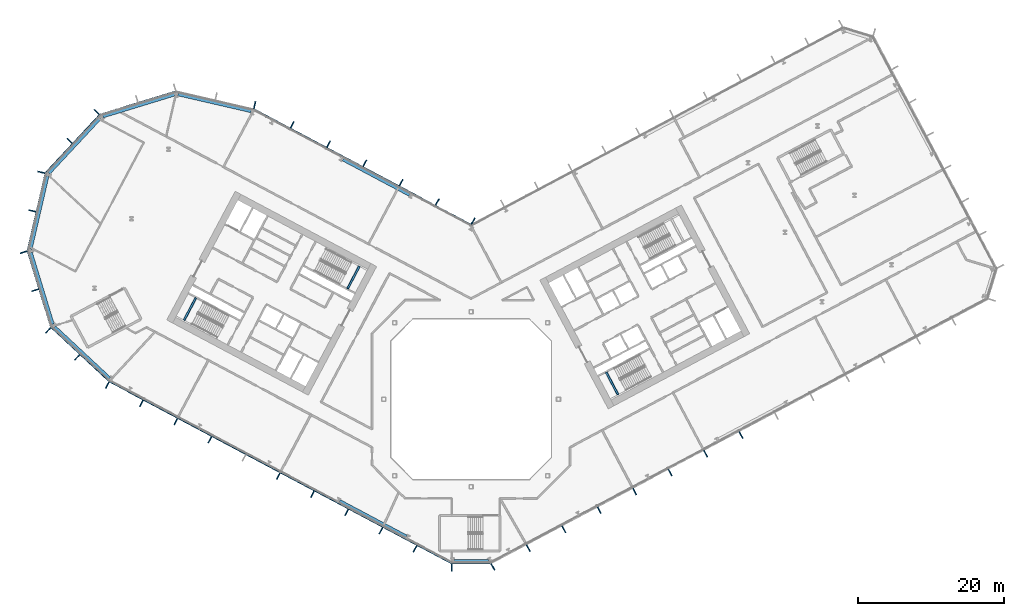
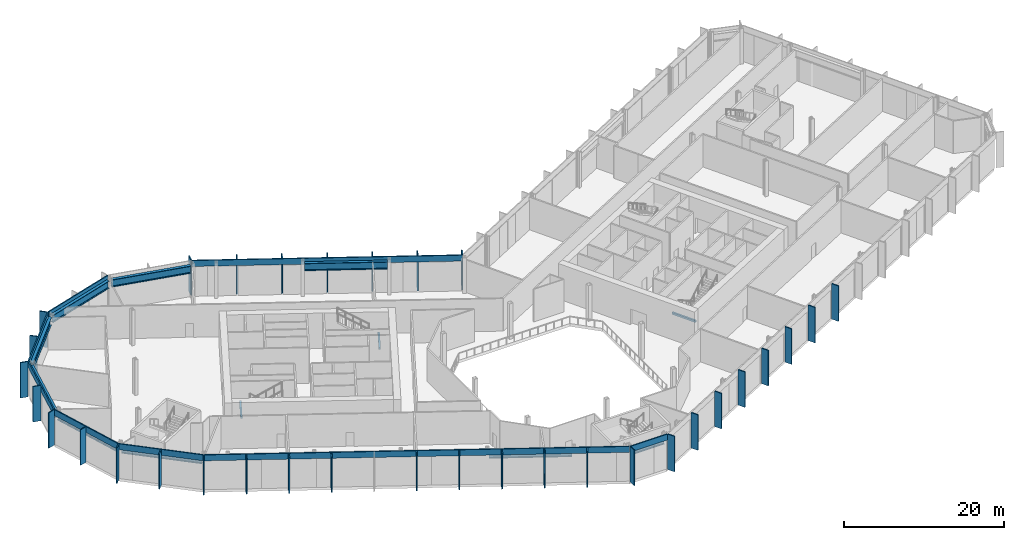
# One storey, part 6 of 32: 41 members, 12 beams, 10 elements without a shape of their own.
"""IFC4 building model written with IfcOpenShell, lengths in metres."""

from ifc_helpers import new_model, si_unit, direction, frame, origin, origin_2d, place, context, subcontext, project, spatial, rectangle, i_section, extrude, material, layer, layer_set, material_profile, profile_set, type_object, element, aggregate, save


model = new_model("IFC4")

# Units and contexts
model_context = context("Model", 3, precision=1e-05, world=origin(), true_north=direction((0.0, 1.0)))
body_context = subcontext(model_context, "Body", "Model", "MODEL_VIEW")
ifc_project = project(units=[si_unit("LENGTHUNIT", "METRE"), si_unit("AREAUNIT", "SQUARE_METRE"), si_unit("VOLUMEUNIT", "CUBIC_METRE"), si_unit("PLANEANGLEUNIT", "RADIAN"), si_unit("MASSUNIT", "GRAM", prefix="KILO")], contexts=[model_context])

# Site, building, storey
site_placement = place(None, origin())
site = spatial("IfcSite", under=ifc_project, at=site_placement, CompositionType="ELEMENT")
building_placement = place(site_placement, origin())
building = spatial("IfcBuilding", under=site, at=building_placement, Name="Cormorant Relay Tower", CompositionType="ELEMENT")
storey_placement = place(building_placement, frame((0.0, 0.0, 39.199951171875)))
storey = spatial("IfcBuildingStorey", under=building, at=storey_placement, Name="L07", CompositionType="ELEMENT", Elevation=39.199951171875)

# Curtain wall, member
ifc_material_1 = material(Name="Aluminium 6063-T6 anodised bronze", Category="aluminium")
ifc_layer = layer(ifc_material_1, 0.235107421875)
ifc_layer_set = layer_set([ifc_layer], Name="CW6 data hall curtain wall with mineral wool panels")
curtain_wall_type = type_object("IfcCurtainWallType", Name="CW6 data hall curtain wall with mineral wool panels", PredefinedType="NOTDEFINED", material=ifc_layer_set)
curtain_wall_1_placement = place(storey_placement, origin())
curtain_wall_1 = element("IfcCurtainWall", 1, at=curtain_wall_1_placement, inside=storey, type_object=curtain_wall_type, Name="CW6 curtain wall 1", PredefinedType="NOTDEFINED")
ifc_material_2 = material(Name="Aluminium 6063-T6 anodised bronze", Category="aluminium")
ifc_material_profile_1 = material_profile(ifc_material_2, rectangle(XDim=0.14990234375, YDim=1.0, at=origin_2d()), Name="AL 150x1000")
ifc_profile_set_1 = profile_set([ifc_material_profile_1], Name="Aluminium 6063-T6 anodised bronze")
member_type_1 = type_object("IfcMemberType", Name="CW6 bronze fin mullion 150 x 1000", PredefinedType="MULLION", material=ifc_profile_set_1)
member_1_placement = place(storey_placement, frame((-2.648681640625, -23.110595703125, 0.0), z_axis=(0.0, 0.0, 1.0), x_axis=(1.0, 0.0, 0.0)))
member_1 = element("IfcMember", 2, at=member_1_placement, type_object=member_type_1, Name="CW6 fin 1.1", PredefinedType="MULLION", context=body_context, shape_type="SweptSolid", body=[
    extrude(rectangle(XDim=0.14990234375, YDim=1.0, at=origin_2d()), origin(), (0.0, 0.0, 1.0), 5.400146484375),
])

# Curtain wall, members
curtain_wall_2_placement = place(storey_placement, origin())
curtain_wall_2 = element("IfcCurtainWall", 3, at=curtain_wall_2_placement, inside=storey, type_object=curtain_wall_type, Name="CW6 curtain wall 2", PredefinedType="NOTDEFINED")
member_2_placement = place(storey_placement, frame((2.993896484375, -23.0244140625, 0.0), z_axis=(0.0, 0.0, 1.0), x_axis=(0.882947592859, 0.469471562786, 0.0)))
member_2 = element("IfcMember", 4, at=member_2_placement, type_object=member_type_1, Name="CW6 fin 2.1", PredefinedType="MULLION", context=body_context, shape_type="SweptSolid", body=[
    extrude(rectangle(XDim=0.14990234375, YDim=1.0, at=origin_2d()), origin(), (0.0, 0.0, 1.0), 5.400146484375),
])
member_3_placement = place(storey_placement, frame((7.860595703125, -20.43701171875, 0.0), z_axis=(0.0, 0.0, 1.0), x_axis=(0.882947592859, 0.469471562786, 0.0)))
member_3 = element("IfcMember", 5, at=member_3_placement, type_object=member_type_1, Name="CW6 fin 2.2", PredefinedType="MULLION", context=body_context, shape_type="SweptSolid", body=[
    extrude(rectangle(XDim=0.14990234375, YDim=1.0, at=origin_2d()), origin(), (0.0, 0.0, 1.0), 5.400146484375),
])
member_4_placement = place(storey_placement, frame((12.727294921875, -17.84912109375, 0.0), z_axis=(0.0, 0.0, 1.0), x_axis=(0.882947592859, 0.469471562786, 0.0)))
member_4 = element("IfcMember", 6, at=member_4_placement, type_object=member_type_1, Name="CW6 fin 2.3", PredefinedType="MULLION", context=body_context, shape_type="SweptSolid", body=[
    extrude(rectangle(XDim=0.14990234375, YDim=1.0, at=origin_2d()), origin(), (0.0, 0.0, 1.0), 5.400146484375),
])
member_5_placement = place(storey_placement, frame((17.593994140625, -15.26171875, 0.0), z_axis=(0.0, 0.0, 1.0), x_axis=(0.882947592859, 0.469471562786, 0.0)))
member_5 = element("IfcMember", 7, at=member_5_placement, type_object=member_type_1, Name="CW6 fin 2.4", PredefinedType="MULLION", context=body_context, shape_type="SweptSolid", body=[
    extrude(rectangle(XDim=0.14990234375, YDim=1.0, at=origin_2d()), origin(), (0.0, 0.0, 1.0), 5.400146484375),
])
member_6_placement = place(storey_placement, frame((22.460693359375, -12.673828125, 0.0), z_axis=(0.0, 0.0, 1.0), x_axis=(0.882947592859, 0.469471562786, 0.0)))
member_6 = element("IfcMember", 8, at=member_6_placement, type_object=member_type_1, Name="CW6 fin 2.5", PredefinedType="MULLION", context=body_context, shape_type="SweptSolid", body=[
    extrude(rectangle(XDim=0.14990234375, YDim=1.0, at=origin_2d()), origin(), (0.0, 0.0, 1.0), 5.400146484375),
])
member_7_placement = place(storey_placement, frame((27.327392578125, -10.086181640625, 0.0), z_axis=(0.0, 0.0, 1.0), x_axis=(0.882947592859, 0.469471562786, 0.0)))
member_7 = element("IfcMember", 9, at=member_7_placement, type_object=member_type_1, Name="CW6 fin 2.6", PredefinedType="MULLION", context=body_context, shape_type="SweptSolid", body=[
    extrude(rectangle(XDim=0.14990234375, YDim=1.0, at=origin_2d()), origin(), (0.0, 0.0, 1.0), 5.400146484375),
])
member_8_placement = place(storey_placement, frame((32.194091796875, -7.49853515625, 0.0), z_axis=(0.0, 0.0, 1.0), x_axis=(0.882947592859, 0.469471562786, 0.0)))
member_8 = element("IfcMember", 10, at=member_8_placement, type_object=member_type_1, Name="CW6 fin 2.7", PredefinedType="MULLION", context=body_context, shape_type="SweptSolid", body=[
    extrude(rectangle(XDim=0.14990234375, YDim=1.0, at=origin_2d()), origin(), (0.0, 0.0, 1.0), 5.400146484375),
])
member_9_placement = place(storey_placement, frame((37.060546875, -4.910888671875, 0.0), z_axis=(0.0, 0.0, 1.0), x_axis=(0.882947592859, 0.469471562786, 0.0)))
member_9 = element("IfcMember", 11, at=member_9_placement, type_object=member_type_1, Name="CW6 fin 2.8", PredefinedType="MULLION", context=body_context, shape_type="SweptSolid", body=[
    extrude(rectangle(XDim=0.14990234375, YDim=1.0, at=origin_2d()), origin(), (0.0, 0.0, 1.0), 5.400146484375),
])
aggregate(curtain_wall_2, [member_2, member_3, member_4, member_5, member_6, member_7, member_8, member_9])

curtain_wall_3_placement = place(storey_placement, origin())
curtain_wall_3 = element("IfcCurtainWall", 12, at=curtain_wall_3_placement, inside=storey, type_object=curtain_wall_type, Name="CW6 curtain wall 7", PredefinedType="NOTDEFINED")
member_10_placement = place(storey_placement, frame((0.27880859375, 24.468017578125, 0.0), z_axis=(0.0, 0.0, 1.0), x_axis=(-0.882947592859, 0.469471562786, 0.0)))
member_10 = element("IfcMember", 13, at=member_10_placement, type_object=member_type_1, Name="CW6 fin 7.1", PredefinedType="MULLION", context=body_context, shape_type="SweptSolid", body=[
    extrude(rectangle(XDim=0.14990234375, YDim=1.0, at=origin_2d()), origin(), (0.0, 0.0, 1.0), 5.400146484375),
])
member_11_placement = place(storey_placement, frame((-4.6337890625, 27.080322265625, 0.0), z_axis=(0.0, 0.0, 1.0), x_axis=(-0.882947592859, 0.469471562786, 0.0)))
member_11 = element("IfcMember", 14, at=member_11_placement, type_object=member_type_1, Name="CW6 fin 7.2", PredefinedType="MULLION", context=body_context, shape_type="SweptSolid", body=[
    extrude(rectangle(XDim=0.14990234375, YDim=1.0, at=origin_2d()), origin(), (0.0, 0.0, 1.0), 5.400146484375),
])
member_12_placement = place(storey_placement, frame((-9.61279296875, 29.727783203125, 0.0), z_axis=(0.0, 0.0, 1.0), x_axis=(-0.882947592859, 0.469471562786, 0.0)))
member_12 = element("IfcMember", 15, at=member_12_placement, type_object=member_type_1, Name="CW6 fin 7.3", PredefinedType="MULLION", context=body_context, shape_type="SweptSolid", body=[
    extrude(rectangle(XDim=0.14990234375, YDim=1.0, at=origin_2d()), origin(), (0.0, 0.0, 1.0), 5.400146484375),
])
member_13_placement = place(storey_placement, frame((-14.591796875, 32.375, 0.0), z_axis=(0.0, 0.0, 1.0), x_axis=(-0.882947592859, 0.469471562786, 0.0)))
member_13 = element("IfcMember", 16, at=member_13_placement, type_object=member_type_1, Name="CW6 fin 7.4", PredefinedType="MULLION", context=body_context, shape_type="SweptSolid", body=[
    extrude(rectangle(XDim=0.14990234375, YDim=1.0, at=origin_2d()), origin(), (0.0, 0.0, 1.0), 5.400146484375),
])
member_14_placement = place(storey_placement, frame((-19.57080078125, 35.0224609375, 0.0), z_axis=(0.0, 0.0, 1.0), x_axis=(-0.882947592859, 0.469471562786, 0.0)))
member_14 = element("IfcMember", 17, at=member_14_placement, type_object=member_type_1, Name="CW6 fin 7.5", PredefinedType="MULLION", context=body_context, shape_type="SweptSolid", body=[
    extrude(rectangle(XDim=0.14990234375, YDim=1.0, at=origin_2d()), origin(), (0.0, 0.0, 1.0), 5.400146484375),
])
member_15_placement = place(storey_placement, frame((-24.5498046875, 37.669677734375, 0.0), z_axis=(0.0, 0.0, 1.0), x_axis=(-0.882947592859, 0.469471562786, 0.0)))
member_15 = element("IfcMember", 18, at=member_15_placement, type_object=member_type_1, Name="CW6 fin 7.6", PredefinedType="MULLION", context=body_context, shape_type="SweptSolid", body=[
    extrude(rectangle(XDim=0.14990234375, YDim=1.0, at=origin_2d()), origin(), (0.0, 0.0, 1.0), 5.400146484375),
])

# Curtain wall, member
curtain_wall_4_placement = place(storey_placement, origin())
curtain_wall_4 = element("IfcCurtainWall", 19, at=curtain_wall_4_placement, inside=storey, type_object=curtain_wall_type, Name="CW6 curtain wall 8", PredefinedType="NOTDEFINED")
member_16_placement = place(storey_placement, frame((-29.70849609375, 40.38427734375, 0.0), z_axis=(0.0, 0.0, 1.0), x_axis=(-0.974370064785, 0.224951054344, 0.0)))
member_16 = element("IfcMember", 20, at=member_16_placement, type_object=member_type_1, Name="CW6 fin 8.1", PredefinedType="MULLION", context=body_context, shape_type="SweptSolid", body=[
    extrude(rectangle(XDim=0.14990234375, YDim=1.0, at=origin_2d()), origin(), (0.0, 0.0, 1.0), 5.400146484375),
])
aggregate(curtain_wall_4, [member_16])

# Curtain wall, members
curtain_wall_5_placement = place(storey_placement, origin())
curtain_wall_5 = element("IfcCurtainWall", 21, at=curtain_wall_5_placement, inside=storey, type_object=curtain_wall_type, Name="CW6 curtain wall 10", PredefinedType="NOTDEFINED")
member_17_placement = place(storey_placement, frame((-51.3984375, 39.4365234375, 0.0), z_axis=(0.0, 0.0, 1.0), x_axis=(-0.681998360062, -0.731353701619, 0.0)))
member_17 = element("IfcMember", 22, at=member_17_placement, type_object=member_type_1, Name="CW6 fin 10.1", PredefinedType="MULLION", context=body_context, shape_type="SweptSolid", body=[
    extrude(rectangle(XDim=0.14990234375, YDim=1.0, at=origin_2d()), origin(), (0.0, 0.0, 1.0), 5.400146484375),
])
member_18_placement = place(storey_placement, frame((-55.105224609375, 35.46142578125, 0.0), z_axis=(0.0, 0.0, 1.0), x_axis=(-0.681998360062, -0.731353701619, 0.0)))
member_18 = element("IfcMember", 23, at=member_18_placement, type_object=member_type_1, Name="CW6 fin 10.2", PredefinedType="MULLION", context=body_context, shape_type="SweptSolid", body=[
    extrude(rectangle(XDim=0.14990234375, YDim=1.0, at=origin_2d()), origin(), (0.0, 0.0, 1.0), 5.400146484375),
])

curtain_wall_6_placement = place(storey_placement, origin())
curtain_wall_6 = element("IfcCurtainWall", 24, at=curtain_wall_6_placement, inside=storey, type_object=curtain_wall_type, Name="CW6 curtain wall 11", PredefinedType="NOTDEFINED")
member_19_placement = place(storey_placement, frame((-58.99072265625, 31.150390625, 0.0), z_axis=(0.0, 0.0, 1.0), x_axis=(-0.224951054344, -0.974370064785, 0.0)))
member_19 = element("IfcMember", 25, at=member_19_placement, type_object=member_type_1, Name="CW6 fin 11.1", PredefinedType="MULLION", context=body_context, shape_type="SweptSolid", body=[
    extrude(rectangle(XDim=0.14990234375, YDim=1.0, at=origin_2d()), origin(), (0.0, 0.0, 1.0), 5.400146484375),
])
member_20_placement = place(storey_placement, frame((-60.21337890625, 25.8544921875, 0.0), z_axis=(0.0, 0.0, 1.0), x_axis=(-0.224951054344, -0.974370064785, 0.0)))
member_20 = element("IfcMember", 26, at=member_20_placement, type_object=member_type_1, Name="CW6 fin 11.2", PredefinedType="MULLION", context=body_context, shape_type="SweptSolid", body=[
    extrude(rectangle(XDim=0.14990234375, YDim=1.0, at=origin_2d()), origin(), (0.0, 0.0, 1.0), 5.400146484375),
])

curtain_wall_7_placement = place(storey_placement, origin())
curtain_wall_7 = element("IfcCurtainWall", 27, at=curtain_wall_7_placement, inside=storey, type_object=curtain_wall_type, Name="CW6 curtain wall 12", PredefinedType="NOTDEFINED")
member_21_placement = place(storey_placement, frame((-61.422607421875, 20.178466796875, 0.0), z_axis=(0.0, 0.0, 1.0), x_axis=(0.292371704723, -0.956304755963, 0.0)))
member_21 = element("IfcMember", 28, at=member_21_placement, type_object=member_type_1, Name="CW6 fin 12.1", PredefinedType="MULLION", context=body_context, shape_type="SweptSolid", body=[
    extrude(rectangle(XDim=0.14990234375, YDim=1.0, at=origin_2d()), origin(), (0.0, 0.0, 1.0), 5.400146484375),
])
member_22_placement = place(storey_placement, frame((-59.83349609375, 14.980712890625, 0.0), z_axis=(0.0, 0.0, 1.0), x_axis=(0.292371704723, -0.956304755963, 0.0)))
member_22 = element("IfcMember", 29, at=member_22_placement, type_object=member_type_1, Name="CW6 fin 12.2", PredefinedType="MULLION", context=body_context, shape_type="SweptSolid", body=[
    extrude(rectangle(XDim=0.14990234375, YDim=1.0, at=origin_2d()), origin(), (0.0, 0.0, 1.0), 5.400146484375),
])

curtain_wall_8_placement = place(storey_placement, origin())
curtain_wall_8 = element("IfcCurtainWall", 30, at=curtain_wall_8_placement, inside=storey, type_object=curtain_wall_type, Name="CW6 curtain wall 13", PredefinedType="NOTDEFINED")
member_23_placement = place(storey_placement, frame((-58.04296875, 9.46044921875, 0.0), z_axis=(0.0, 0.0, 1.0), x_axis=(0.731353701619, -0.681998360062, 0.0)))
member_23 = element("IfcMember", 31, at=member_23_placement, type_object=member_type_1, Name="CW6 fin 13.1", PredefinedType="MULLION", context=body_context, shape_type="SweptSolid", body=[
    extrude(rectangle(XDim=0.14990234375, YDim=1.0, at=origin_2d()), origin(), (0.0, 0.0, 1.0), 5.400146484375),
])
member_24_placement = place(storey_placement, frame((-54.06787109375, 5.753662109375, 0.0), z_axis=(0.0, 0.0, 1.0), x_axis=(0.731353701619, -0.681998360062, 0.0)))
member_24 = element("IfcMember", 32, at=member_24_placement, type_object=member_type_1, Name="CW6 fin 13.2", PredefinedType="MULLION", context=body_context, shape_type="SweptSolid", body=[
    extrude(rectangle(XDim=0.14990234375, YDim=1.0, at=origin_2d()), origin(), (0.0, 0.0, 1.0), 5.400146484375),
])

curtain_wall_9_placement = place(storey_placement, origin())
curtain_wall_9 = element("IfcCurtainWall", 33, at=curtain_wall_9_placement, inside=storey, type_object=curtain_wall_type, Name="CW6 curtain wall 14", PredefinedType="NOTDEFINED")
member_25_placement = place(storey_placement, frame((-49.9365234375, 1.935302734375, 0.0), z_axis=(0.0, 0.0, 1.0), x_axis=(0.882947592859, -0.469471562786, 0.0)))
member_25 = element("IfcMember", 34, at=member_25_placement, type_object=member_type_1, Name="CW6 fin 14.1", PredefinedType="MULLION", context=body_context, shape_type="SweptSolid", body=[
    extrude(rectangle(XDim=0.14990234375, YDim=1.0, at=origin_2d()), origin(), (0.0, 0.0, 1.0), 5.400146484375),
])
member_26_placement = place(storey_placement, frame((-45.2421875, -0.560546875, 0.0), z_axis=(0.0, 0.0, 1.0), x_axis=(0.882947592859, -0.469471562786, 0.0)))
member_26 = element("IfcMember", 35, at=member_26_placement, type_object=member_type_1, Name="CW6 fin 14.2", PredefinedType="MULLION", context=body_context, shape_type="SweptSolid", body=[
    extrude(rectangle(XDim=0.14990234375, YDim=1.0, at=origin_2d()), origin(), (0.0, 0.0, 1.0), 5.400146484375),
])
member_27_placement = place(storey_placement, frame((-40.548095703125, -3.056640625, 0.0), z_axis=(0.0, 0.0, 1.0), x_axis=(0.882947592859, -0.469471562786, 0.0)))
member_27 = element("IfcMember", 36, at=member_27_placement, type_object=member_type_1, Name="CW6 fin 14.3", PredefinedType="MULLION", context=body_context, shape_type="SweptSolid", body=[
    extrude(rectangle(XDim=0.14990234375, YDim=1.0, at=origin_2d()), origin(), (0.0, 0.0, 1.0), 5.400146484375),
])
member_28_placement = place(storey_placement, frame((-35.853759765625, -5.552490234375, 0.0), z_axis=(0.0, 0.0, 1.0), x_axis=(0.882947592859, -0.469471562786, 0.0)))
member_28 = element("IfcMember", 37, at=member_28_placement, type_object=member_type_1, Name="CW6 fin 14.4", PredefinedType="MULLION", context=body_context, shape_type="SweptSolid", body=[
    extrude(rectangle(XDim=0.14990234375, YDim=1.0, at=origin_2d()), origin(), (0.0, 0.0, 1.0), 5.400146484375),
])
member_29_placement = place(storey_placement, frame((-26.46533203125, -10.544677734375, 0.0), z_axis=(0.0, 0.0, 1.0), x_axis=(0.882947592859, -0.469471562786, 0.0)))
member_29 = element("IfcMember", 38, at=member_29_placement, type_object=member_type_1, Name="CW6 fin 14.6", PredefinedType="MULLION", context=body_context, shape_type="SweptSolid", body=[
    extrude(rectangle(XDim=0.14990234375, YDim=1.0, at=origin_2d()), origin(), (0.0, 0.0, 1.0), 5.400146484375),
])
member_30_placement = place(storey_placement, frame((-21.77099609375, -13.04052734375, 0.0), z_axis=(0.0, 0.0, 1.0), x_axis=(0.882947592859, -0.469471562786, 0.0)))
member_30 = element("IfcMember", 39, at=member_30_placement, type_object=member_type_1, Name="CW6 fin 14.7", PredefinedType="MULLION", context=body_context, shape_type="SweptSolid", body=[
    extrude(rectangle(XDim=0.14990234375, YDim=1.0, at=origin_2d()), origin(), (0.0, 0.0, 1.0), 5.400146484375),
])
member_31_placement = place(storey_placement, frame((-17.07666015625, -15.53662109375, 0.0), z_axis=(0.0, 0.0, 1.0), x_axis=(0.882947592859, -0.469471562786, 0.0)))
member_31 = element("IfcMember", 40, at=member_31_placement, type_object=member_type_1, Name="CW6 fin 14.8", PredefinedType="MULLION", context=body_context, shape_type="SweptSolid", body=[
    extrude(rectangle(XDim=0.14990234375, YDim=1.0, at=origin_2d()), origin(), (0.0, 0.0, 1.0), 5.400146484375),
])
member_32_placement = place(storey_placement, frame((-12.38232421875, -18.032470703125, 0.0), z_axis=(0.0, 0.0, 1.0), x_axis=(0.882947592859, -0.469471562786, 0.0)))
member_32 = element("IfcMember", 41, at=member_32_placement, type_object=member_type_1, Name="CW6 fin 14.9", PredefinedType="MULLION", context=body_context, shape_type="SweptSolid", body=[
    extrude(rectangle(XDim=0.14990234375, YDim=1.0, at=origin_2d()), origin(), (0.0, 0.0, 1.0), 5.400146484375),
])
member_33_placement = place(storey_placement, frame((-7.688232421875, -20.528564453125, 0.0), z_axis=(0.0, 0.0, 1.0), x_axis=(0.882947592859, -0.469471562786, 0.0)))
member_33 = element("IfcMember", 42, at=member_33_placement, type_object=member_type_1, Name="CW6 fin 14.10", PredefinedType="MULLION", context=body_context, shape_type="SweptSolid", body=[
    extrude(rectangle(XDim=0.14990234375, YDim=1.0, at=origin_2d()), origin(), (0.0, 0.0, 1.0), 5.400146484375),
])

# Member
ifc_material_3 = material(Name="Aluminium 6063-T6 anodised bronze", Category="aluminium")
ifc_material_profile_2 = material_profile(ifc_material_3, rectangle(XDim=0.159912109375, YDim=0.89990234375, at=origin_2d()), Name="AL 160x900")
ifc_profile_set_2 = profile_set([ifc_material_profile_2], Name="Aluminium 6063-T6 anodised bronze")
member_type_2 = type_object("IfcMemberType", Name="CW6 bronze transom 160 x 900", PredefinedType="USERDEFINED", material=ifc_profile_set_2)
member_34_placement = place(storey_placement, frame((-2.648681640625, -22.530517578125, 4.949951171875), z_axis=(1.0, 0.0, 0.0), x_axis=(0.0, 1.0, 0.0)))
member_34 = element("IfcMember", 43, at=member_34_placement, type_object=member_type_2, Name="CW6 transom 1", ObjectType="TRANSOM", PredefinedType="USERDEFINED", context=body_context, shape_type="SweptSolid", body=[
    extrude(rectangle(XDim=0.159912109375, YDim=0.89990234375, at=origin_2d()), origin(), (0.0, 0.0, 1.0), 5.29736328125),
])

aggregate(curtain_wall_1, [member_1, member_34])

member_35_placement = place(storey_placement, frame((0.07275390625, 23.9208984375, 4.949951171875), z_axis=(-0.882949271414, 0.46946840587, 0.0), x_axis=(-0.46946840587, -0.882949271414, 0.0)))
member_35 = element("IfcMember", 44, at=member_35_placement, type_object=member_type_2, Name="CW6 transom 7", ObjectType="TRANSOM", PredefinedType="USERDEFINED", context=body_context, shape_type="SweptSolid", body=[
    extrude(rectangle(XDim=0.159912109375, YDim=0.89990234375, at=origin_2d()), origin(), (0.0, 0.0, 1.0), 33.833984375),
])

aggregate(curtain_wall_3, [member_10, member_11, member_12, member_13, member_14, member_15, member_35])

# Curtain wall, member
curtain_wall_10_placement = place(storey_placement, origin())
curtain_wall_10 = element("IfcCurtainWall", 45, at=curtain_wall_10_placement, inside=storey, type_object=curtain_wall_type, Name="CW6 curtain wall 9", PredefinedType="NOTDEFINED")
member_36_placement = place(storey_placement, frame((-40.5107421875, 42.26171875, 4.949951171875), z_axis=(-0.956304833932, -0.292371449698, 0.0), x_axis=(0.292371449698, -0.956304833932, 0.0)))
member_36 = element("IfcMember", 46, at=member_36_placement, type_object=member_type_2, Name="CW6 transom 9", ObjectType="TRANSOM", PredefinedType="USERDEFINED", context=body_context, shape_type="SweptSolid", body=[
    extrude(rectangle(XDim=0.159912109375, YDim=0.89990234375, at=origin_2d()), origin(), (0.0, 0.0, 1.0), 10.87060546875),
])
aggregate(curtain_wall_10, [member_36])

# Member
member_37_placement = place(storey_placement, frame((-50.974365234375, 39.041015625, 4.949951171875), z_axis=(-0.681993299437, -0.731358420696, 0.0), x_axis=(0.731358420696, -0.681993299437, 0.0)))
member_37 = element("IfcMember", 47, at=member_37_placement, type_object=member_type_2, Name="CW6 transom 10", ObjectType="TRANSOM", PredefinedType="USERDEFINED", context=body_context, shape_type="SweptSolid", body=[
    extrude(rectangle(XDim=0.159912109375, YDim=0.89990234375, at=origin_2d()), origin(), (0.0, 0.0, 1.0), 10.870361328125),
])

aggregate(curtain_wall_5, [member_17, member_18, member_37])

member_38_placement = place(storey_placement, frame((-58.425537109375, 31.02001953125, 4.949951171875), z_axis=(-0.22495136131, -0.974369993916, 0.0), x_axis=(0.974369993916, -0.22495136131, 0.0)))
member_38 = element("IfcMember", 48, at=member_38_placement, type_object=member_type_2, Name="CW6 transom 11", ObjectType="TRANSOM", PredefinedType="USERDEFINED", context=body_context, shape_type="SweptSolid", body=[
    extrude(rectangle(XDim=0.159912109375, YDim=0.89990234375, at=origin_2d()), origin(), (0.0, 0.0, 1.0), 10.870361328125),
])

aggregate(curtain_wall_6, [member_19, member_20, member_38])

member_39_placement = place(storey_placement, frame((-60.8681640625, 20.347900390625, 4.949951171875), z_axis=(0.292377729282, -0.95630291405, 0.0), x_axis=(0.95630291405, 0.292377729282, 0.0)))
member_39 = element("IfcMember", 49, at=member_39_placement, type_object=member_type_2, Name="CW6 transom 12", ObjectType="TRANSOM", PredefinedType="USERDEFINED", context=body_context, shape_type="SweptSolid", body=[
    extrude(rectangle(XDim=0.159912109375, YDim=0.89990234375, at=origin_2d()), origin(), (0.0, 0.0, 1.0), 10.870361328125),
])

aggregate(curtain_wall_7, [member_21, member_22, member_39])

member_40_placement = place(storey_placement, frame((-57.6474609375, 9.884521484375, 4.949951171875), z_axis=(0.731358420696, -0.681993299437, 0.0), x_axis=(0.681993299437, 0.731358420696, 0.0)))
member_40 = element("IfcMember", 50, at=member_40_placement, type_object=member_type_2, Name="CW6 transom 13", ObjectType="TRANSOM", PredefinedType="USERDEFINED", context=body_context, shape_type="SweptSolid", body=[
    extrude(rectangle(XDim=0.159912109375, YDim=0.89990234375, at=origin_2d()), origin(), (0.0, 0.0, 1.0), 10.870361328125),
])

aggregate(curtain_wall_8, [member_23, member_24, member_40])

member_41_placement = place(storey_placement, frame((-49.664306640625, 2.447509765625, 4.949951171875), z_axis=(0.882946630435, -0.469473372838, 0.0), x_axis=(0.469473372838, 0.882946630435, 0.0)))
member_41 = element("IfcMember", 51, at=member_41_placement, type_object=member_type_2, Name="CW6 transom 14", ObjectType="TRANSOM", PredefinedType="USERDEFINED", context=body_context, shape_type="SweptSolid", body=[
    extrude(rectangle(XDim=0.159912109375, YDim=0.89990234375, at=origin_2d()), origin(), (0.0, 0.0, 1.0), 53.165771484375),
])

aggregate(curtain_wall_9, [member_25, member_26, member_27, member_28, member_29, member_30, member_31, member_32, member_33, member_41])

# Beams
ifc_material_4 = material(Name="Steel ASTM A992 (Fy 345 MPa)", Category="steel")
ifc_material_profile_3 = material_profile(ifc_material_4, i_section(OverallWidth=0.408935546875, OverallDepth=1.137939453125, WebThickness=0.031005859375, FlangeThickness=0.05517578125, FilletRadius=0.02001953125, at=origin_2d()), Name="W1100x607")
ifc_profile_set_3 = profile_set([ifc_material_profile_3], Name="Steel ASTM A992 (Fy 345 MPa)")
beam_type_1 = type_object("IfcBeamType", Name="Spandrel W1100x607", PredefinedType="SPANDREL", material=ifc_profile_set_3)
beam_1_placement = place(storey_placement, frame((-2.331787109375, -22.171142578125, 4.381103515625), z_axis=(1.0, 0.0, 0.0), x_axis=(0.0, 1.0, 0.0)))
element("IfcBeam", 52, at=beam_1_placement, inside=storey, type_object=beam_type_1, Name="Spandrel beam L07-001", PredefinedType="SPANDREL", context=body_context, shape_type="SweptSolid", body=[
    extrude(i_section(OverallWidth=0.408935546875, OverallDepth=1.137939453125, WebThickness=0.031005859375, FlangeThickness=0.05517578125, FilletRadius=0.02001953125, at=origin_2d()), origin(), (0.0, 0.0, 1.0), 4.71533203125),
])
beam_2_placement = place(storey_placement, frame((-8.442138671875, 28.041015625, 4.381103515625), z_axis=(-0.882941792792, 0.469482470963, 0.0), x_axis=(-0.469482470963, -0.882941792792, 0.0)))
element("IfcBeam", 53, at=beam_2_placement, inside=storey, type_object=beam_type_1, Name="Spandrel beam L07-007", PredefinedType="SPANDREL", context=body_context, shape_type="SweptSolid", body=[
    extrude(i_section(OverallWidth=0.408935546875, OverallDepth=1.137939453125, WebThickness=0.031005859375, FlangeThickness=0.05517578125, FilletRadius=0.02001953125, at=origin_2d()), origin(), (0.0, 0.0, 1.0), 10.363037109375),
])
beam_3_placement = place(storey_placement, frame((-30.184814453125, 39.530029296875, 4.381103515625), z_axis=(-0.974369683491, 0.224952705905, 0.0), x_axis=(-0.224952705905, -0.974369683491, 0.0)))
element("IfcBeam", 54, at=beam_3_placement, inside=storey, type_object=beam_type_1, Name="Spandrel beam L07-008", PredefinedType="SPANDREL", context=body_context, shape_type="SweptSolid", body=[
    extrude(i_section(OverallWidth=0.408935546875, OverallDepth=1.137939453125, WebThickness=0.031005859375, FlangeThickness=0.05517578125, FilletRadius=0.02001953125, at=origin_2d()), origin(), (0.0, 0.0, 1.0), 10.3310546875),
])
beam_4_placement = place(storey_placement, frame((-40.716796875, 41.82275390625, 4.381103515625), z_axis=(-0.956304908485, -0.292371205845, 0.0), x_axis=(0.292371205845, -0.956304908485, 0.0)))
element("IfcBeam", 55, at=beam_4_placement, inside=storey, type_object=beam_type_1, Name="Spandrel beam L07-009", PredefinedType="SPANDREL", context=body_context, shape_type="SweptSolid", body=[
    extrude(i_section(OverallWidth=0.408935546875, OverallDepth=1.137939453125, WebThickness=0.031005859375, FlangeThickness=0.05517578125, FilletRadius=0.02001953125, at=origin_2d()), origin(), (0.0, 0.0, 1.0), 10.278564453125),
])
beam_5_placement = place(storey_placement, frame((-50.93359375, 38.557373046875, 4.381103515625), z_axis=(-0.682005863937, -0.731346704071, 0.0), x_axis=(0.731346704071, -0.682005863937, 0.0)))
element("IfcBeam", 56, at=beam_5_placement, inside=storey, type_object=beam_type_1, Name="Spandrel beam L07-010", PredefinedType="SPANDREL", context=body_context, shape_type="SweptSolid", body=[
    extrude(i_section(OverallWidth=0.408935546875, OverallDepth=1.137939453125, WebThickness=0.031005859375, FlangeThickness=0.05517578125, FilletRadius=0.02001953125, at=origin_2d()), origin(), (0.0, 0.0, 1.0), 10.277099609375),
])
beam_6_placement = place(storey_placement, frame((-58.1484375, 30.6220703125, 4.381103515625), z_axis=(-0.224956659484, -0.97436877072, 0.0), x_axis=(0.97436877072, -0.224956659484, 0.0)))
element("IfcBeam", 57, at=beam_6_placement, inside=storey, type_object=beam_type_1, Name="Spandrel beam L07-011", PredefinedType="SPANDREL", context=body_context, shape_type="SweptSolid", body=[
    extrude(i_section(OverallWidth=0.408935546875, OverallDepth=1.137939453125, WebThickness=0.031005859375, FlangeThickness=0.05517578125, FilletRadius=0.02001953125, at=origin_2d()), origin(), (0.0, 0.0, 1.0), 10.277587890625),
])
beam_7_placement = place(storey_placement, frame((-60.42919921875, 20.14208984375, 4.381103515625), z_axis=(0.292364564847, -0.956306938813, 0.0), x_axis=(0.956306938813, 0.292364564847, 0.0)))
element("IfcBeam", 58, at=beam_7_placement, inside=storey, type_object=beam_type_1, Name="Spandrel beam L07-012", PredefinedType="SPANDREL", context=body_context, shape_type="SweptSolid", body=[
    extrude(i_section(OverallWidth=0.408935546875, OverallDepth=1.137939453125, WebThickness=0.031005859375, FlangeThickness=0.05517578125, FilletRadius=0.02001953125, at=origin_2d()), origin(), (0.0, 0.0, 1.0), 10.27880859375),
])
beam_8_placement = place(storey_placement, frame((-57.163818359375, 9.925048828125, 4.381103515625), z_axis=(0.731361805756, -0.681989669336, 0.0), x_axis=(0.681989669336, 0.731361805756, 0.0)))
element("IfcBeam", 59, at=beam_8_placement, inside=storey, type_object=beam_type_1, Name="Spandrel beam L07-013", PredefinedType="SPANDREL", context=body_context, shape_type="SweptSolid", body=[
    extrude(i_section(OverallWidth=0.408935546875, OverallDepth=1.137939453125, WebThickness=0.031005859375, FlangeThickness=0.05517578125, FilletRadius=0.02001953125, at=origin_2d()), origin(), (0.0, 0.0, 1.0), 10.30029296875),
])
beam_9_placement = place(storey_placement, frame((-18.04638671875, -13.95703125, 4.381103515625), z_axis=(0.882942412403, -0.469481305677, 0.0), x_axis=(0.469481305677, 0.882942412403, 0.0)))
element("IfcBeam", 60, at=beam_9_placement, inside=storey, type_object=beam_type_1, Name="Spandrel beam L07-014", PredefinedType="SPANDREL", context=body_context, shape_type="SweptSolid", body=[
    extrude(i_section(OverallWidth=0.408935546875, OverallDepth=1.137939453125, WebThickness=0.031005859375, FlangeThickness=0.05517578125, FilletRadius=0.02001953125, at=origin_2d()), origin(), (0.0, 0.0, 1.0), 10.363525390625),
])
ifc_material_5 = material(Name="Concrete 50 MPa", Category="concrete")
ifc_material_profile_4 = material_profile(ifc_material_5, rectangle(XDim=0.25, YDim=0.300048828125, at=origin_2d()), Name="RC 250x300")
ifc_profile_set_4 = profile_set([ifc_material_profile_4], Name="Concrete 50 MPa")
beam_type_2 = type_object("IfcBeamType", Name="Stair landing ledge beam 250x300", PredefinedType="BEAM", material=ifc_profile_set_4)
for number, where, z_axis, x_axis, name in (
    (61, (-16.9677734375, 15.1943359375, 2.35009765625), (0.469463917486, 0.882951657895, 0.0), (-0.882951657895, 0.469463917486, 0.0), "A1 landing ledge beam"),
    (62, (-37.77490234375, 13.912841796875, 2.35009765625), (-0.469519084434, -0.88292232351, 0.0), (0.88292232351, -0.469519084434, 0.0), "A2 landing ledge beam"),
    (63, (18.55322265625, 3.6923828125, 2.35009765625), (0.469463917486, -0.882951657895, 0.0), (0.882951657895, 0.469463917486, 0.0), "B1 landing ledge beam"),
):
    element("IfcBeam", number, at=place(storey_placement, frame(where, z_axis=z_axis, x_axis=x_axis)), inside=storey, type_object=beam_type_2, Name=name, PredefinedType="BEAM", context=body_context, shape_type="SweptSolid", body=[
        extrude(rectangle(XDim=0.25, YDim=0.300048828125, at=origin_2d()), origin(), (0.0, 0.0, 1.0), 3.449951171875),
    ])

save(model, "model.ifc")
